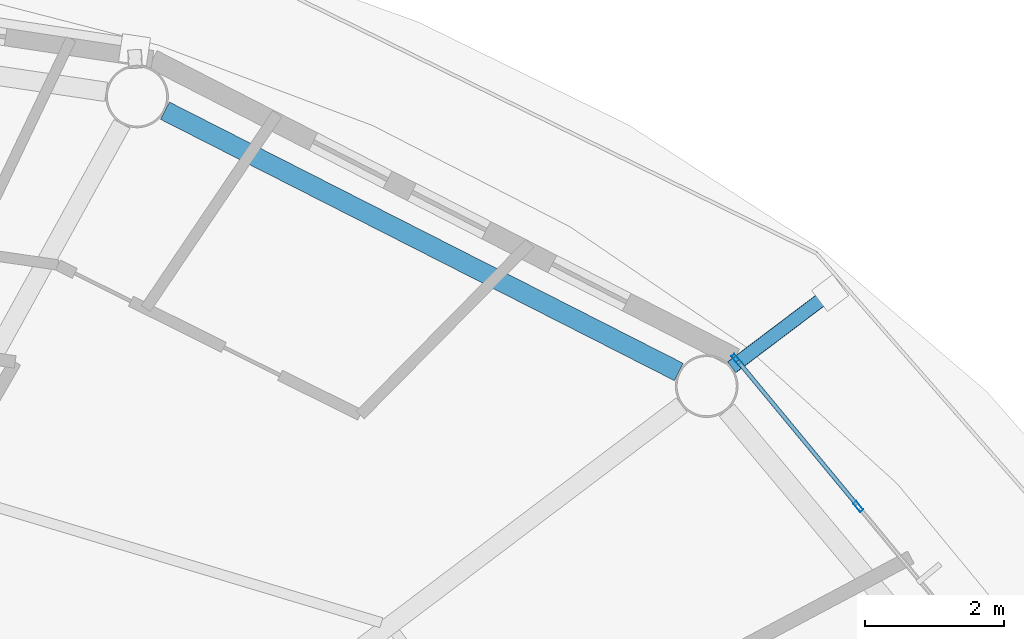
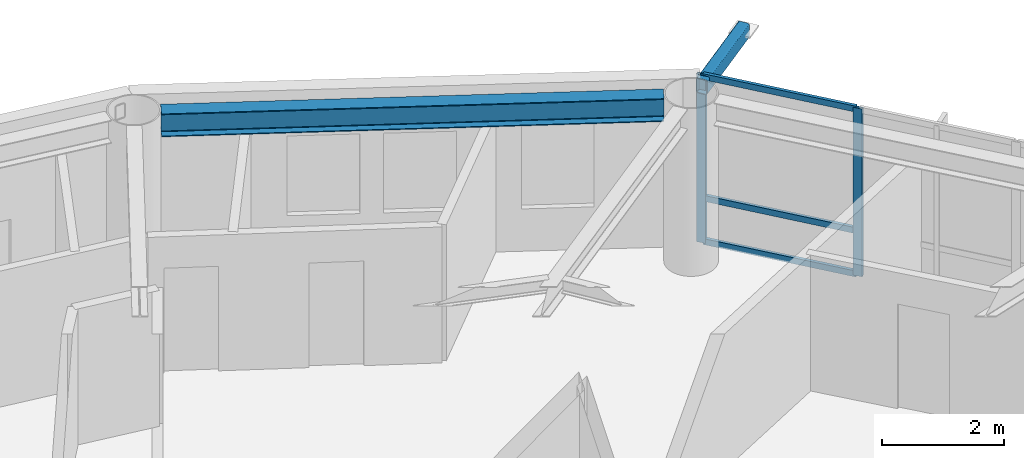
# One storey, part 11 of 22: 6 members, 1 beam, 1 element without a shape of its own.
"""IFC4 building model written with IfcOpenShell, lengths in metres."""

from ifc_helpers import new_model, si_unit, direction, frame, origin, origin_2d, place, context, subcontext, project, spatial, hollow_rectangle, i_section, extrude, material, layer, layer_set, material_profile, profile_set, type_object, element, aggregate, save


model = new_model("IFC4")

# Units and contexts
model_context = context("Model", 3, precision=1e-05, world=origin(), true_north=direction((0.0, 1.0)))
body_context = subcontext(model_context, "Body", "Model", "MODEL_VIEW")
ifc_project = project(units=[si_unit("LENGTHUNIT", "METRE"), si_unit("AREAUNIT", "SQUARE_METRE"), si_unit("VOLUMEUNIT", "CUBIC_METRE"), si_unit("PLANEANGLEUNIT", "RADIAN"), si_unit("MASSUNIT", "GRAM", prefix="KILO")], contexts=[model_context])

# Site, building, storey
site_placement = place(None, origin())
site = spatial("IfcSite", under=ifc_project, at=site_placement, CompositionType="ELEMENT")
building_placement = place(site_placement, origin())
building = spatial("IfcBuilding", under=site, at=building_placement, Name="Sarneth Arch Tower", CompositionType="ELEMENT")
storey_placement = place(building_placement, frame((0.0, 0.0, 291.0)))
storey = spatial("IfcBuildingStorey", under=building, at=storey_placement, Name="L75", CompositionType="ELEMENT", Elevation=291.0)

# Beam
ifc_material_1 = material(Name="Steel S355", Category="steel")
ifc_material_profile_1 = material_profile(ifc_material_1, i_section(OverallWidth=0.280029296875, OverallDepth=0.462890625, WebThickness=0.0107421875, FlangeThickness=0.017333984375, FilletRadius=0.01806640625, at=origin_2d()), Name="W460x113")
ifc_profile_set_1 = profile_set([ifc_material_profile_1], Name="Steel S355")
beam_type = type_object("IfcBeamType", Name="BM-RAD-460A", PredefinedType="BEAM", material=ifc_profile_set_1)
beam_placement = place(storey_placement, frame((65.57421875, 55.780517578125, 3.138427734375), z_axis=(-0.891376248079, 0.453264144138, 0.0), x_axis=(-0.453264144138, -0.891376248079, 0.0)))
element("IfcBeam", 1, at=beam_placement, inside=storey, type_object=beam_type, Name="L75 Perimeter spandrel beam 03", PredefinedType="BEAM", context=body_context, shape_type="SweptSolid", body=[
    extrude(i_section(OverallWidth=0.280029296875, OverallDepth=0.462890625, WebThickness=0.0107421875, FlangeThickness=0.017333984375, FilletRadius=0.01806640625, at=origin_2d()), origin(), (0.0, 0.0, 1.0), 8.281982421875),
])

# Curtain wall, members
ifc_material_2 = material(Name="Anodised aluminium Type AA25 and solar-control low-e laminated IGU", Category="aluminium")
ifc_layer = layer(ifc_material_2, 0.179931640625)
ifc_layer_set = layer_set([ifc_layer], Name="Anodised aluminium Type AA25 and solar-control low-e laminated IGU")
curtain_wall_type = type_object("IfcCurtainWallType", Name="CW-RES-HIGH", PredefinedType="NOTDEFINED", material=ifc_layer_set)
curtain_wall_placement = place(storey_placement, origin())
curtain_wall = element("IfcCurtainWall", 2, at=curtain_wall_placement, inside=storey, type_object=curtain_wall_type, Name="L75 Unitised curtain wall facet 02", PredefinedType="NOTDEFINED")
ifc_material_3 = material(Name="Anodised Aluminium 6063-T6", Category="aluminium")
ifc_material_profile_2 = material_profile(ifc_material_3, hollow_rectangle(XDim=0.06005859375, YDim=0.159912109375, WallThickness=0.00390625, at=origin_2d()), Name="AL-MULL-160x60x4")
ifc_profile_set_2 = profile_set([ifc_material_profile_2], Name="Anodised Aluminium 6063-T6")
member_type_1 = type_object("IfcMemberType", Name="CW-MULLION", PredefinedType="MULLION", material=ifc_profile_set_2)
member_1_placement = place(storey_placement, frame((68.15283203125, 53.84765625, 0.0), z_axis=(0.0, 0.0, 1.0), x_axis=(-0.770359245933, -0.637610094184, 0.0)))
member_1 = element("IfcMember", 3, at=member_1_placement, type_object=member_type_1, Name="CW-SYS-6 mullion 3", PredefinedType="MULLION", context=body_context, shape_type="SweptSolid", body=[
    extrude(hollow_rectangle(XDim=0.06005859375, YDim=0.159912109375, WallThickness=0.00390625, at=origin_2d()), origin(), (0.0, 0.0, 1.0), 3.3701171875),
])
member_2_placement = place(storey_placement, frame((66.401611328125, 55.96337890625, 0.0), z_axis=(0.0, 0.0, 1.0), x_axis=(-0.770359245933, -0.637610094184, 0.0)))
member_2 = element("IfcMember", 4, at=member_2_placement, type_object=member_type_1, Name="CW-SYS-6 mullion 4", PredefinedType="MULLION", context=body_context, shape_type="SweptSolid", body=[
    extrude(hollow_rectangle(XDim=0.06005859375, YDim=0.159912109375, WallThickness=0.00390625, at=origin_2d()), origin(), (0.0, 0.0, 1.0), 3.3701171875),
])
ifc_material_4 = material(Name="Anodised Aluminium 6063-T6", Category="aluminium")
ifc_material_profile_3 = material_profile(ifc_material_4, hollow_rectangle(XDim=0.06005859375, YDim=0.1201171875, WallThickness=0.00390625, at=origin_2d()), Name="AL-TRAN-120x60x4")
ifc_profile_set_3 = profile_set([ifc_material_profile_3], Name="Anodised Aluminium 6063-T6")
member_type_2 = type_object("IfcMemberType", Name="CW-TRANSOM", PredefinedType="USERDEFINED", material=ifc_profile_set_3)
member_3_placement = place(storey_placement, frame((68.1337890625, 53.87060546875, 0.030029296875), z_axis=(-0.637606765719, 0.770362000821, 0.0), x_axis=(-0.770362000821, -0.637606765719, 0.0)))
member_3 = element("IfcMember", 5, at=member_3_placement, type_object=member_type_2, Name="CW-SYS-6 transom 3.1", ObjectType="TRANSOM", PredefinedType="USERDEFINED", context=body_context, shape_type="SweptSolid", body=[
    extrude(hollow_rectangle(XDim=0.06005859375, YDim=0.1201171875, WallThickness=0.00390625, at=origin_2d()), origin(), (0.0, 0.0, 1.0), 2.686767578125),
])
member_4_placement = place(storey_placement, frame((68.1337890625, 53.87060546875, 0.89990234375), z_axis=(-0.637606765719, 0.770362000821, 0.0), x_axis=(-0.770362000821, -0.637606765719, 0.0)))
member_4 = element("IfcMember", 6, at=member_4_placement, type_object=member_type_2, Name="CW-SYS-6 transom 3.2", ObjectType="TRANSOM", PredefinedType="USERDEFINED", context=body_context, shape_type="SweptSolid", body=[
    extrude(hollow_rectangle(XDim=0.06005859375, YDim=0.1201171875, WallThickness=0.00390625, at=origin_2d()), origin(), (0.0, 0.0, 1.0), 2.686767578125),
])
member_5_placement = place(storey_placement, frame((68.1337890625, 53.87060546875, 3.340087890625), z_axis=(-0.637606765719, 0.770362000821, 0.0), x_axis=(-0.770362000821, -0.637606765719, 0.0)))
member_5 = element("IfcMember", 7, at=member_5_placement, type_object=member_type_2, Name="CW-SYS-6 transom 3.3", ObjectType="TRANSOM", PredefinedType="USERDEFINED", context=body_context, shape_type="SweptSolid", body=[
    extrude(hollow_rectangle(XDim=0.06005859375, YDim=0.1201171875, WallThickness=0.00390625, at=origin_2d()), origin(), (0.0, 0.0, 1.0), 2.686767578125),
])
aggregate(curtain_wall, [member_1, member_2, member_3, member_4, member_5])

# Member
ifc_material_5 = material(Name="Steel S355", Category="steel")
ifc_material_profile_4 = material_profile(ifc_material_5, hollow_rectangle(XDim=0.199951171875, YDim=0.300048828125, WallThickness=0.012451171875, InnerFilletRadius=0.018798828125, OuterFilletRadius=0.03125, at=origin_2d()), Name="RHS300x200x12.5")
ifc_profile_set_4 = profile_set([ifc_material_profile_4], Name="Steel S355")
member_type_3 = type_object("IfcMemberType", Name="MEM-CANT-STRUT", PredefinedType="STRUT", material=ifc_profile_set_4)
member_6_placement = place(storey_placement, frame((66.334228515625, 55.84765625, 3.2099609375), z_axis=(0.798011619551, 0.602642062141, 0.0), x_axis=(-0.602642062141, 0.798011619551, 0.0)))
element("IfcMember", 8, at=member_6_placement, inside=storey, type_object=member_type_3, Name="L75 Balcony cantilever bracket 03", PredefinedType="STRUT", context=body_context, shape_type="SweptSolid", body=[
    extrude(hollow_rectangle(XDim=0.199951171875, YDim=0.300048828125, WallThickness=0.012451171875, InnerFilletRadius=0.018798828125, OuterFilletRadius=0.03125, at=origin_2d()), origin(), (0.0, 0.0, 1.0), 1.77197265625),
])

save(model, "model.ifc")
